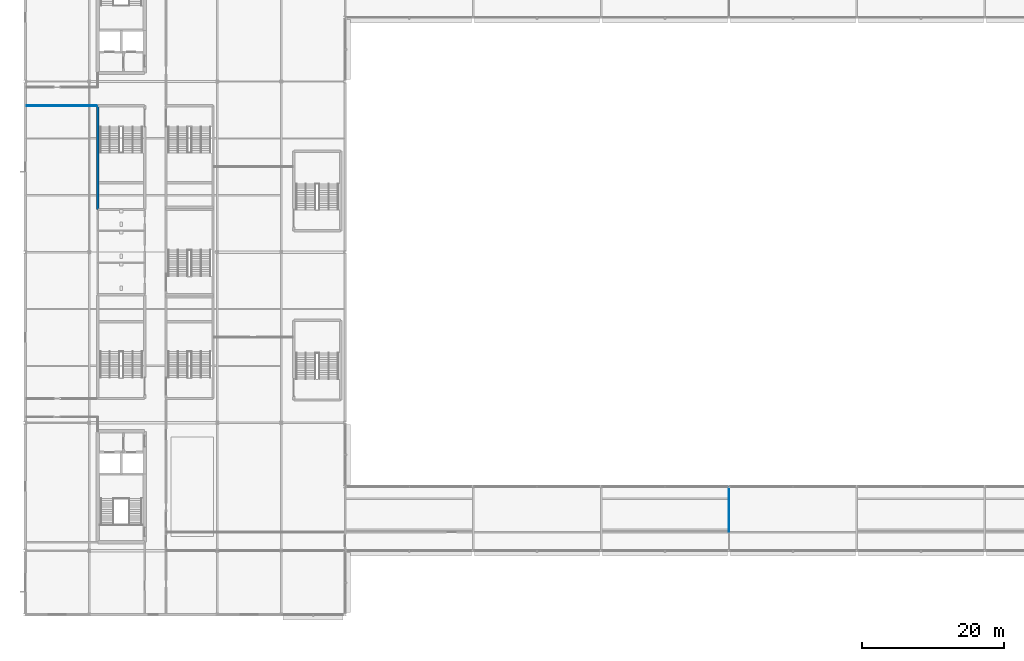
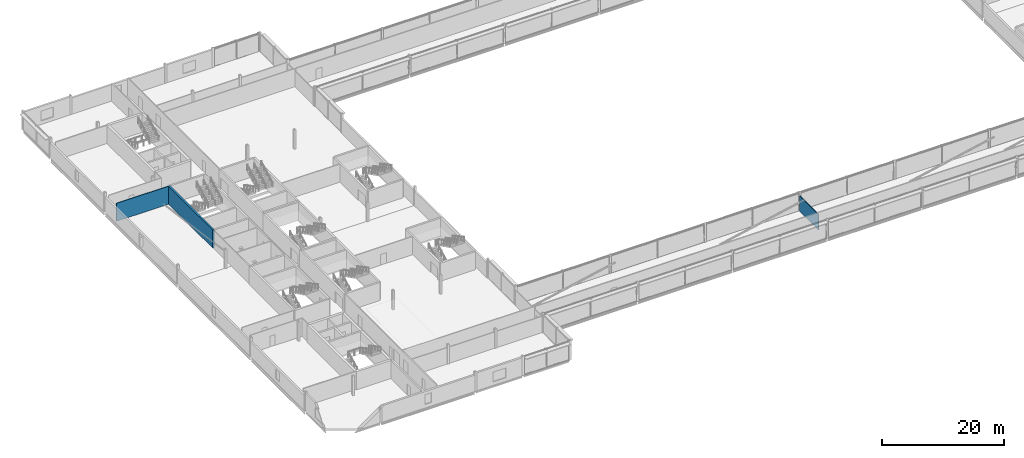
# One storey, part 60 of 98: 3 walls.
"""IFC4 building model written with IfcOpenShell, lengths in metres."""

from ifc_helpers import new_model, si_unit, direction, frame, frame_2d, origin, place, context, subcontext, project, spatial, rectangle, extrude, material, layer, layer_set, type_object, element, save


model = new_model("IFC4")

# Units and contexts
model_context = context("Model", 3, precision=1e-05, world=origin(), true_north=direction((0.0, 1.0)))
body_context = subcontext(model_context, "Body", "Model", "MODEL_VIEW")
ifc_project = project(units=[si_unit("LENGTHUNIT", "METRE"), si_unit("AREAUNIT", "SQUARE_METRE"), si_unit("VOLUMEUNIT", "CUBIC_METRE"), si_unit("PLANEANGLEUNIT", "RADIAN"), si_unit("MASSUNIT", "GRAM", prefix="KILO")], contexts=[model_context])

# Site, building, storey
site_placement = place(None, origin())
site = spatial("IfcSite", under=ifc_project, at=site_placement, CompositionType="ELEMENT")
building_placement = place(site_placement, origin())
building = spatial("IfcBuilding", under=site, at=building_placement, Name="Kisiwana Market Hall", CompositionType="ELEMENT")
storey_placement = place(building_placement, frame((0.0, 0.0, 29.39990234375)))
storey = spatial("IfcBuildingStorey", under=building, at=storey_placement, Name="L06", CompositionType="ELEMENT", Elevation=29.39990234375)

# Walls
ifc_material_1 = material(Name="Concrete C40/50", Category="concrete")
ifc_layer_1 = layer(ifc_material_1, 0.320068359375, Name="Reinforced concrete shaft wall")
ifc_layer_set_1 = layer_set([ifc_layer_1], Name="WL-CORE-320")
wall_type_1 = type_object("IfcWallType", Name="WL-CORE-320", PredefinedType="SHEAR", material=ifc_layer_set_1)
wall_1_placement = place(storey_placement, frame((10.199951171875, 66.0, 0.0), z_axis=(0.0, 0.0, 1.0), x_axis=(0.0, 1.0, 0.0)))
element("IfcWall", 1, at=wall_1_placement, inside=storey, type_object=wall_type_1, Name="Core W4 outer shear wall W-1933", PredefinedType="SHEAR", context=body_context, shape_type="SweptSolid", body=[
    extrude(rectangle(XDim=14.60009765625, YDim=0.320068359375, at=frame_2d((7.300048828125, 0.0))), origin(), (0.0, 0.0, 1.0), 3.6201171875),
])
ifc_material_2 = material(Name="Gypsum plasterboard")
ifc_layer_2 = layer(ifc_material_2, 0.125, Name="Double gypsum board + acoustic stud")
ifc_layer_set_2 = layer_set([ifc_layer_2], Name="WL-OFF-125")
wall_type_2 = type_object("IfcWallType", Name="WL-OFF-125", PredefinedType="PARTITIONING", material=ifc_layer_set_2)
wall_2_placement = place(storey_placement, frame((0.1826171875, 80.60009765625, 0.0), z_axis=(0.0, 0.0, 1.0), x_axis=(1.0, 0.0, 0.0)))
element("IfcWall", 2, at=wall_2_placement, inside=storey, type_object=wall_type_2, Name="Interior partition W-2028", PredefinedType="PARTITIONING", context=body_context, shape_type="SweptSolid", body=[
    extrude(rectangle(XDim=9.857421875, YDim=0.125, at=frame_2d((4.9287109375, 0.0))), origin(), (0.0, 0.0, 1.0), 3.6201171875),
])
wall_3_placement = place(storey_placement, frame((99.0, 20.68505859375, 0.0), z_axis=(0.0, 0.0, 1.0), x_axis=(0.0, 1.0, 0.0)))
element("IfcWall", 3, at=wall_3_placement, inside=storey, type_object=wall_type_2, Name="Interior partition W-2074", PredefinedType="PARTITIONING", context=body_context, shape_type="SweptSolid", body=[
    extrude(rectangle(XDim=6.23486328125, YDim=0.125, at=frame_2d((3.117431640625, 0.0))), origin(), (0.0, 0.0, 1.0), 3.10205078125),
])

save(model, "model.ifc")
